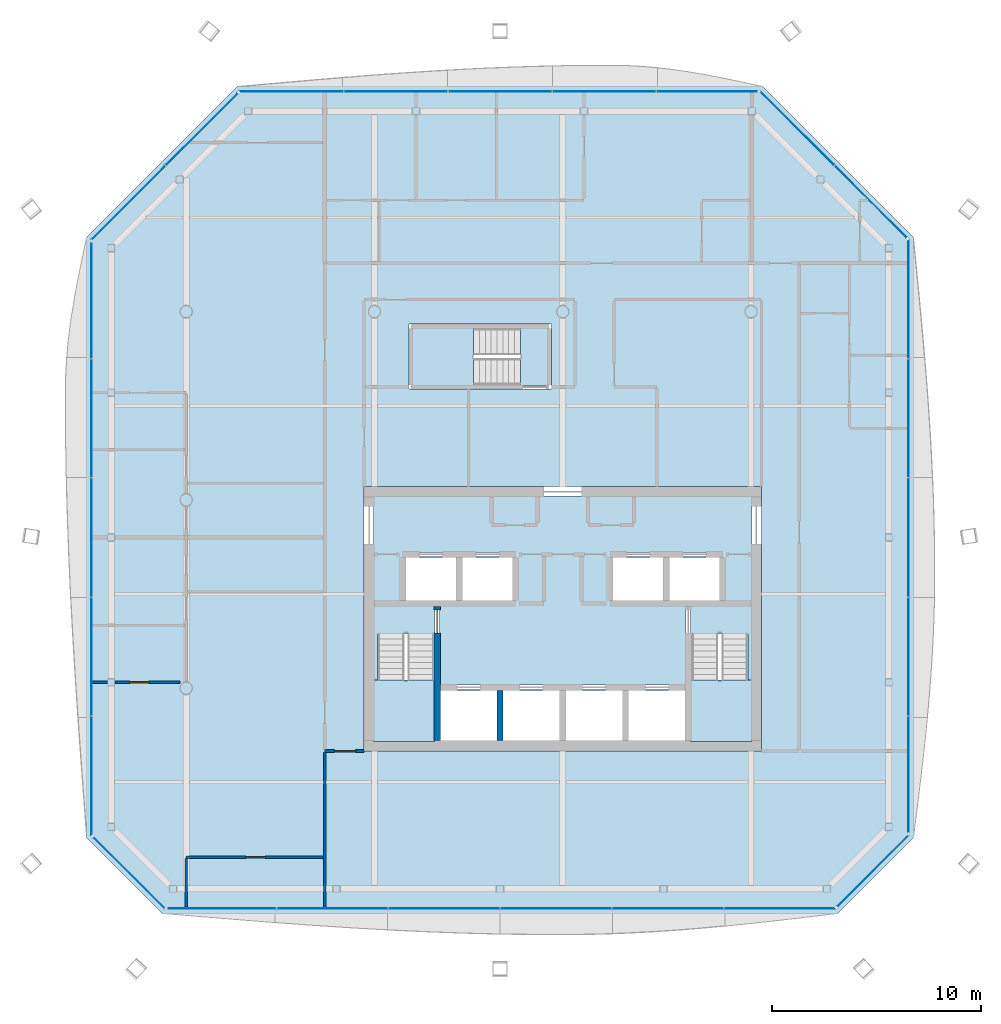
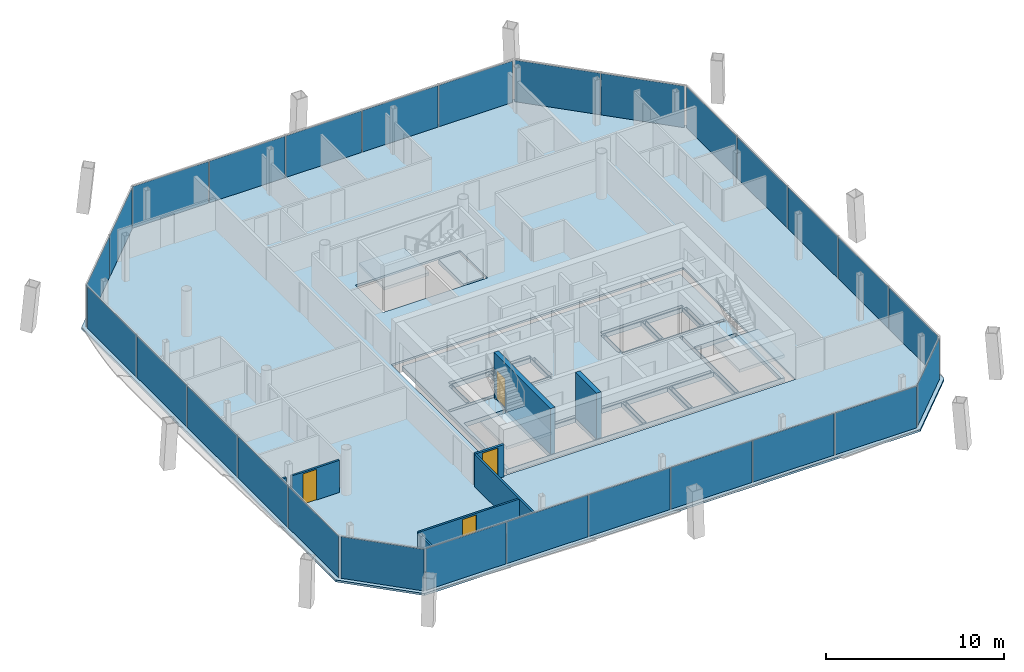
# One storey, part 12 of 19: 27 plates, 8 walls, 6 slabs, 4 doors, 4 openings, 11 elements without a shape of their own.
"""IFC4 building model written with IfcOpenShell, lengths in metres."""

from ifc_helpers import new_model, si_unit, direction, frame, frame_2d, origin, origin_2d, place, context, subcontext, project, spatial, polyline, rectangle, outline, extrude, material, layer, layer_set, type_object, element, fill, aggregate, save


model = new_model("IFC4")

# Units and contexts
model_context = context("Model", 3, precision=1e-05, world=origin(), true_north=direction((0.0, 1.0)))
body_context = subcontext(model_context, "Body", "Model", "MODEL_VIEW")
ifc_project = project(units=[si_unit("LENGTHUNIT", "METRE"), si_unit("AREAUNIT", "SQUARE_METRE"), si_unit("VOLUMEUNIT", "CUBIC_METRE"), si_unit("PLANEANGLEUNIT", "RADIAN"), si_unit("MASSUNIT", "GRAM", prefix="KILO")], contexts=[model_context])

# Site, building, storey
site_placement = place(None, origin())
site = spatial("IfcSite", under=ifc_project, at=site_placement, CompositionType="ELEMENT")
building_placement = place(site_placement, origin())
building = spatial("IfcBuilding", under=site, at=building_placement, Name="Tskaro Facet Tower", CompositionType="ELEMENT")
storey_placement = place(building_placement, frame((0.0, 0.0, 203.699951171875)))
storey = spatial("IfcBuildingStorey", under=building, at=storey_placement, Name="L52", CompositionType="ELEMENT", Elevation=203.699951171875)

# Slab
ifc_material_1 = material(Name="Concrete C30/37", Category="concrete")
ifc_layer_1 = layer(ifc_material_1, 0.139892578125, Name="Concrete C30/37")
ifc_layer_set_1 = layer_set([ifc_layer_1], Name="Concrete C30/37")
slab_type_1 = type_object("IfcSlabType", Name="Composite deck floor slab", PredefinedType="FLOOR", material=ifc_layer_set_1)
slab_1_placement = place(storey_placement, frame((0.0, 0.0, -0.139892578125)))
element("IfcSlab", 1, at=slab_1_placement, inside=storey, type_object=slab_type_1, Name="Floor slab FS3 L52", PredefinedType="FLOOR", context=body_context, shape_type="SweptSolid", body=[
    extrude(outline(polyline([(-19.1298828125, -19.782958984375), (13.1298828125, -19.782958984375), (16.782958984375, -16.1298828125), (16.782958984375, 12.54296875), (9.54296875, 19.782958984375), (-15.54296875, 19.782958984375), (-22.782958984375, 12.54296875), (-22.782958984375, -16.1298828125), (-19.1298828125, -19.782958984375)]), holes=[polyline([(-9.5, -12.0), (9.5, -12.0), (9.5, 0.64990234375), (-9.5, 0.64990234375), (-9.5, -12.0)]), polyline([(-7.35009765625, 5.300048828125), (-0.550048828125, 5.300048828125), (-0.550048828125, 8.39990234375), (-7.35009765625, 8.39990234375), (-7.35009765625, 5.300048828125)])]), origin(), (0.0, 0.0, 1.0), 0.139892578125),
])

# Curtain wall, plates
ifc_material_2 = material(Name="Bronze anodised aluminium 6063-T6", Category="aluminium")
curtain_wall_type = type_object("IfcCurtainWallType", Name="Bronze residence curtain wall (FW3)", PredefinedType="NOTDEFINED", material=ifc_material_2)
curtain_wall_1_placement = place(storey_placement, origin())
curtain_wall_1 = element("IfcCurtainWall", 2, at=curtain_wall_1_placement, inside=storey, type_object=curtain_wall_type, Name="FW3 south facet L52", PredefinedType="NOTDEFINED")
ifc_material_3 = material(Name="Bronze low-iron glass", Category="glass")
ifc_layer_2 = layer(ifc_material_3, 0.028076171875, Name="Bronze low-iron glass")
ifc_layer_set_2 = layer_set([ifc_layer_2], Name="Bronze low-iron glass")
plate_type = type_object("IfcPlateType", Name="FW3 bronze-tinted unit glazing 28", PredefinedType="CURTAIN_PANEL", material=ifc_layer_set_2)
plate_1_placement = place(storey_placement, frame((-16.297607421875, -19.532958984375, 0.0), z_axis=(0.0, 0.0, 1.0), x_axis=(1.0, 0.0, 0.0)))
plate_1 = element("IfcPlate", 3, at=plate_1_placement, type_object=plate_type, Name="FW3 south glazing 1.1", PredefinedType="CURTAIN_PANEL", context=body_context, shape_type="SweptSolid", body=[
    extrude(rectangle(XDim=5.177001953125, YDim=0.028076171875, at=origin_2d()), origin(), (0.0, 0.0, 1.0), 2.860107421875),
])
plate_2_placement = place(storey_placement, frame((-11.012939453125, -19.532958984375, 0.0), z_axis=(0.0, 0.0, 1.0), x_axis=(1.0, 0.0, 0.0)))
plate_2 = element("IfcPlate", 4, at=plate_2_placement, type_object=plate_type, Name="FW3 south glazing 2.1", PredefinedType="CURTAIN_PANEL", context=body_context, shape_type="SweptSolid", body=[
    extrude(rectangle(XDim=5.2919921875, YDim=0.028076171875, at=origin_2d()), origin(), (0.0, 0.0, 1.0), 2.860107421875),
])
plate_3_placement = place(storey_placement, frame((-5.6708984375, -19.532958984375, 0.0), z_axis=(0.0, 0.0, 1.0), x_axis=(1.0, 0.0, 0.0)))
plate_3 = element("IfcPlate", 5, at=plate_3_placement, type_object=plate_type, Name="FW3 south glazing 3.1", PredefinedType="CURTAIN_PANEL", context=body_context, shape_type="SweptSolid", body=[
    extrude(rectangle(XDim=5.2919921875, YDim=0.028076171875, at=origin_2d()), origin(), (0.0, 0.0, 1.0), 2.860107421875),
])
plate_4_placement = place(storey_placement, frame((-0.3291015625, -19.532958984375, 0.0), z_axis=(0.0, 0.0, 1.0), x_axis=(1.0, 0.0, 0.0)))
plate_4 = element("IfcPlate", 6, at=plate_4_placement, type_object=plate_type, Name="FW3 south glazing 4.1", PredefinedType="CURTAIN_PANEL", context=body_context, shape_type="SweptSolid", body=[
    extrude(rectangle(XDim=5.2919921875, YDim=0.028076171875, at=origin_2d()), origin(), (0.0, 0.0, 1.0), 2.860107421875),
])
plate_5_placement = place(storey_placement, frame((5.012939453125, -19.532958984375, 0.0), z_axis=(0.0, 0.0, 1.0), x_axis=(1.0, 0.0, 0.0)))
plate_5 = element("IfcPlate", 7, at=plate_5_placement, type_object=plate_type, Name="FW3 south glazing 5.1", PredefinedType="CURTAIN_PANEL", context=body_context, shape_type="SweptSolid", body=[
    extrude(rectangle(XDim=5.2919921875, YDim=0.028076171875, at=origin_2d()), origin(), (0.0, 0.0, 1.0), 2.860107421875),
])
plate_6_placement = place(storey_placement, frame((10.367431640625, -19.532958984375, 0.0), z_axis=(0.0, 0.0, 1.0), x_axis=(1.0, 0.0, 0.0)))
plate_6 = element("IfcPlate", 8, at=plate_6_placement, type_object=plate_type, Name="FW3 south glazing 6.1", PredefinedType="CURTAIN_PANEL", context=body_context, shape_type="SweptSolid", body=[
    extrude(rectangle(XDim=5.31689453125, YDim=0.028076171875, at=origin_2d()), origin(), (0.0, 0.0, 1.0), 2.860107421875),
])
aggregate(curtain_wall_1, [plate_1, plate_2, plate_3, plate_4, plate_5, plate_6])

# Curtain wall, plate
curtain_wall_2_placement = place(storey_placement, origin())
curtain_wall_2 = element("IfcCurtainWall", 9, at=curtain_wall_2_placement, inside=storey, type_object=curtain_wall_type, Name="FW3 south-east facet L52", PredefinedType="NOTDEFINED")
plate_7_placement = place(storey_placement, frame((14.8291015625, -17.72998046875, 0.0), z_axis=(0.0, 0.0, 1.0), x_axis=(0.707106781187, 0.707106781187, 0.0)))
plate_7 = element("IfcPlate", 10, at=plate_7_placement, type_object=plate_type, Name="FW3 south-east glazing 1.1", PredefinedType="CURTAIN_PANEL", context=body_context, shape_type="SweptSolid", body=[
    extrude(rectangle(XDim=4.819580078125, YDim=0.028076171875, at=origin_2d()), origin(), (0.0, 0.0, 1.0), 2.860107421875),
])
aggregate(curtain_wall_2, [plate_7])

# Curtain wall, plates
curtain_wall_3_placement = place(storey_placement, origin())
curtain_wall_3 = element("IfcCurtainWall", 11, at=curtain_wall_3_placement, inside=storey, type_object=curtain_wall_type, Name="FW3 east facet L52", PredefinedType="NOTDEFINED")
plate_8_placement = place(storey_placement, frame((16.532958984375, -13.1220703125, 0.0), z_axis=(0.0, 0.0, 1.0), x_axis=(0.0, 1.0, 0.0)))
plate_8 = element("IfcPlate", 12, at=plate_8_placement, type_object=plate_type, Name="FW3 east glazing 1.1", PredefinedType="CURTAIN_PANEL", context=body_context, shape_type="SweptSolid", body=[
    extrude(rectangle(XDim=5.528076171875, YDim=0.028076171875, at=origin_2d()), origin(), (0.0, 0.0, 1.0), 2.860107421875),
])
plate_9_placement = place(storey_placement, frame((16.532958984375, -7.486572265625, 0.0), z_axis=(0.0, 0.0, 1.0), x_axis=(0.0, 1.0, 0.0)))
plate_9 = element("IfcPlate", 13, at=plate_9_placement, type_object=plate_type, Name="FW3 east glazing 2.1", PredefinedType="CURTAIN_PANEL", context=body_context, shape_type="SweptSolid", body=[
    extrude(rectangle(XDim=5.64306640625, YDim=0.028076171875, at=origin_2d()), origin(), (0.0, 0.0, 1.0), 2.860107421875),
])
plate_10_placement = place(storey_placement, frame((16.532958984375, -1.79345703125, 0.0), z_axis=(0.0, 0.0, 1.0), x_axis=(0.0, 1.0, 0.0)))
plate_10 = element("IfcPlate", 14, at=plate_10_placement, type_object=plate_type, Name="FW3 east glazing 3.1", PredefinedType="CURTAIN_PANEL", context=body_context, shape_type="SweptSolid", body=[
    extrude(rectangle(XDim=5.64306640625, YDim=0.028076171875, at=origin_2d()), origin(), (0.0, 0.0, 1.0), 2.860107421875),
])
plate_11_placement = place(storey_placement, frame((16.532958984375, 3.8994140625, 0.0), z_axis=(0.0, 0.0, 1.0), x_axis=(0.0, 1.0, 0.0)))
plate_11 = element("IfcPlate", 15, at=plate_11_placement, type_object=plate_type, Name="FW3 east glazing 4.1", PredefinedType="CURTAIN_PANEL", context=body_context, shape_type="SweptSolid", body=[
    extrude(rectangle(XDim=5.64306640625, YDim=0.028076171875, at=origin_2d()), origin(), (0.0, 0.0, 1.0), 2.860107421875),
])
plate_12_placement = place(storey_placement, frame((16.532958984375, 9.60498046875, 0.0), z_axis=(0.0, 0.0, 1.0), x_axis=(0.0, 1.0, 0.0)))
plate_12 = element("IfcPlate", 16, at=plate_12_placement, type_object=plate_type, Name="FW3 east glazing 5.1", PredefinedType="CURTAIN_PANEL", context=body_context, shape_type="SweptSolid", body=[
    extrude(rectangle(XDim=5.66796875, YDim=0.028076171875, at=origin_2d()), origin(), (0.0, 0.0, 1.0), 2.860107421875),
])
aggregate(curtain_wall_3, [plate_8, plate_9, plate_10, plate_11, plate_12])

curtain_wall_4_placement = place(storey_placement, origin())
curtain_wall_4 = element("IfcCurtainWall", 17, at=curtain_wall_4_placement, inside=storey, type_object=curtain_wall_type, Name="FW3 north-east facet L52", PredefinedType="NOTDEFINED")
plate_13_placement = place(storey_placement, frame((14.71875, 14.253173828125, 0.0), z_axis=(0.0, 0.0, 1.0), x_axis=(-0.707106781187, 0.707106781187, 0.0)))
plate_13 = element("IfcPlate", 18, at=plate_13_placement, type_object=plate_type, Name="FW3 north-east glazing 1.1", PredefinedType="CURTAIN_PANEL", context=body_context, shape_type="SweptSolid", body=[
    extrude(rectangle(XDim=4.851318359375, YDim=0.028076171875, at=origin_2d()), origin(), (0.0, 0.0, 1.0), 2.860107421875),
])
plate_14_placement = place(storey_placement, frame((11.20361328125, 17.768310546875, 0.0), z_axis=(0.0, 0.0, 1.0), x_axis=(-0.707106781187, 0.707106781187, 0.0)))
plate_14 = element("IfcPlate", 19, at=plate_14_placement, type_object=plate_type, Name="FW3 north-east glazing 2.1", PredefinedType="CURTAIN_PANEL", context=body_context, shape_type="SweptSolid", body=[
    extrude(rectangle(XDim=4.9912109375, YDim=0.028076171875, at=origin_2d()), origin(), (0.0, 0.0, 1.0), 2.860107421875),
])
aggregate(curtain_wall_4, [plate_13, plate_14])

curtain_wall_5_placement = place(storey_placement, origin())
curtain_wall_5 = element("IfcCurtainWall", 20, at=curtain_wall_5_placement, inside=storey, type_object=curtain_wall_type, Name="FW3 north facet L52", PredefinedType="NOTDEFINED")
plate_15_placement = place(storey_placement, frame((6.893798828125, 19.532958984375, 0.0), z_axis=(0.0, 0.0, 1.0), x_axis=(-1.0, 0.0, 0.0)))
plate_15 = element("IfcPlate", 21, at=plate_15_placement, type_object=plate_type, Name="FW3 north glazing 1.1", PredefinedType="CURTAIN_PANEL", context=body_context, shape_type="SweptSolid", body=[
    extrude(rectangle(XDim=4.810546875, YDim=0.028076171875, at=origin_2d()), origin(), (0.0, 0.0, 1.0), 2.860107421875),
])
plate_16_placement = place(storey_placement, frame((1.9755859375, 19.532958984375, 0.0), z_axis=(0.0, 0.0, 1.0), x_axis=(-1.0, 0.0, 0.0)))
plate_16 = element("IfcPlate", 22, at=plate_16_placement, type_object=plate_type, Name="FW3 north glazing 2.1", PredefinedType="CURTAIN_PANEL", context=body_context, shape_type="SweptSolid", body=[
    extrude(rectangle(XDim=4.925537109375, YDim=0.028076171875, at=origin_2d()), origin(), (0.0, 0.0, 1.0), 2.860107421875),
])
plate_17_placement = place(storey_placement, frame((-3.0, 19.532958984375, 0.0), z_axis=(0.0, 0.0, 1.0), x_axis=(-1.0, 0.0, 0.0)))
plate_17 = element("IfcPlate", 23, at=plate_17_placement, type_object=plate_type, Name="FW3 north glazing 3.1", PredefinedType="CURTAIN_PANEL", context=body_context, shape_type="SweptSolid", body=[
    extrude(rectangle(XDim=4.925537109375, YDim=0.028076171875, at=origin_2d()), origin(), (0.0, 0.0, 1.0), 2.860107421875),
])
plate_18_placement = place(storey_placement, frame((-7.9755859375, 19.532958984375, 0.0), z_axis=(0.0, 0.0, 1.0), x_axis=(-1.0, 0.0, 0.0)))
plate_18 = element("IfcPlate", 24, at=plate_18_placement, type_object=plate_type, Name="FW3 north glazing 4.1", PredefinedType="CURTAIN_PANEL", context=body_context, shape_type="SweptSolid", body=[
    extrude(rectangle(XDim=4.925537109375, YDim=0.028076171875, at=origin_2d()), origin(), (0.0, 0.0, 1.0), 2.860107421875),
])
plate_19_placement = place(storey_placement, frame((-12.963623046875, 19.532958984375, 0.0), z_axis=(0.0, 0.0, 1.0), x_axis=(-1.0, 0.0, 0.0)))
plate_19 = element("IfcPlate", 25, at=plate_19_placement, type_object=plate_type, Name="FW3 north glazing 5.1", PredefinedType="CURTAIN_PANEL", context=body_context, shape_type="SweptSolid", body=[
    extrude(rectangle(XDim=4.95068359375, YDim=0.028076171875, at=origin_2d()), origin(), (0.0, 0.0, 1.0), 2.860107421875),
])
aggregate(curtain_wall_5, [plate_15, plate_16, plate_17, plate_18, plate_19])

curtain_wall_6_placement = place(storey_placement, origin())
curtain_wall_6 = element("IfcCurtainWall", 26, at=curtain_wall_6_placement, inside=storey, type_object=curtain_wall_type, Name="FW3 north-west facet L52", PredefinedType="NOTDEFINED")
plate_20_placement = place(storey_placement, frame((-17.253173828125, 17.71875, 0.0), z_axis=(0.0, 0.0, 1.0), x_axis=(-0.707106781187, -0.707106781187, 0.0)))
plate_20 = element("IfcPlate", 27, at=plate_20_placement, type_object=plate_type, Name="FW3 north-west glazing 1.1", PredefinedType="CURTAIN_PANEL", context=body_context, shape_type="SweptSolid", body=[
    extrude(rectangle(XDim=4.851318359375, YDim=0.028076171875, at=origin_2d()), origin(), (0.0, 0.0, 1.0), 2.860107421875),
])
plate_21_placement = place(storey_placement, frame((-20.768310546875, 14.20361328125, 0.0), z_axis=(0.0, 0.0, 1.0), x_axis=(-0.707106781187, -0.707106781187, 0.0)))
plate_21 = element("IfcPlate", 28, at=plate_21_placement, type_object=plate_type, Name="FW3 north-west glazing 2.1", PredefinedType="CURTAIN_PANEL", context=body_context, shape_type="SweptSolid", body=[
    extrude(rectangle(XDim=4.9912109375, YDim=0.028076171875, at=origin_2d()), origin(), (0.0, 0.0, 1.0), 2.860107421875),
])
aggregate(curtain_wall_6, [plate_20, plate_21])

curtain_wall_7_placement = place(storey_placement, origin())
curtain_wall_7 = element("IfcCurtainWall", 29, at=curtain_wall_7_placement, inside=storey, type_object=curtain_wall_type, Name="FW3 west facet L52", PredefinedType="NOTDEFINED")
plate_22_placement = place(storey_placement, frame((-22.532958984375, 9.534912109375, 0.0), z_axis=(0.0, 0.0, 1.0), x_axis=(0.0, -1.0, 0.0)))
plate_22 = element("IfcPlate", 30, at=plate_22_placement, type_object=plate_type, Name="FW3 west glazing 1.1", PredefinedType="CURTAIN_PANEL", context=body_context, shape_type="SweptSolid", body=[
    extrude(rectangle(XDim=5.528076171875, YDim=0.028076171875, at=origin_2d()), origin(), (0.0, 0.0, 1.0), 2.860107421875),
])
plate_23_placement = place(storey_placement, frame((-22.532958984375, 3.8994140625, 0.0), z_axis=(0.0, 0.0, 1.0), x_axis=(0.0, -1.0, 0.0)))
plate_23 = element("IfcPlate", 31, at=plate_23_placement, type_object=plate_type, Name="FW3 west glazing 2.1", PredefinedType="CURTAIN_PANEL", context=body_context, shape_type="SweptSolid", body=[
    extrude(rectangle(XDim=5.64306640625, YDim=0.028076171875, at=origin_2d()), origin(), (0.0, 0.0, 1.0), 2.860107421875),
])
plate_24_placement = place(storey_placement, frame((-22.532958984375, -1.79345703125, 0.0), z_axis=(0.0, 0.0, 1.0), x_axis=(0.0, -1.0, 0.0)))
plate_24 = element("IfcPlate", 32, at=plate_24_placement, type_object=plate_type, Name="FW3 west glazing 3.1", PredefinedType="CURTAIN_PANEL", context=body_context, shape_type="SweptSolid", body=[
    extrude(rectangle(XDim=5.64306640625, YDim=0.028076171875, at=origin_2d()), origin(), (0.0, 0.0, 1.0), 2.860107421875),
])
plate_25_placement = place(storey_placement, frame((-22.532958984375, -7.486572265625, 0.0), z_axis=(0.0, 0.0, 1.0), x_axis=(0.0, -1.0, 0.0)))
plate_25 = element("IfcPlate", 33, at=plate_25_placement, type_object=plate_type, Name="FW3 west glazing 4.1", PredefinedType="CURTAIN_PANEL", context=body_context, shape_type="SweptSolid", body=[
    extrude(rectangle(XDim=5.64306640625, YDim=0.028076171875, at=origin_2d()), origin(), (0.0, 0.0, 1.0), 2.860107421875),
])
plate_26_placement = place(storey_placement, frame((-22.532958984375, -13.19189453125, 0.0), z_axis=(0.0, 0.0, 1.0), x_axis=(0.0, -1.0, 0.0)))
plate_26 = element("IfcPlate", 34, at=plate_26_placement, type_object=plate_type, Name="FW3 west glazing 5.1", PredefinedType="CURTAIN_PANEL", context=body_context, shape_type="SweptSolid", body=[
    extrude(rectangle(XDim=5.66796875, YDim=0.028076171875, at=origin_2d()), origin(), (0.0, 0.0, 1.0), 2.860107421875),
])
aggregate(curtain_wall_7, [plate_22, plate_23, plate_24, plate_25, plate_26])

# Curtain wall, plate
curtain_wall_8_placement = place(storey_placement, origin())
curtain_wall_8 = element("IfcCurtainWall", 35, at=curtain_wall_8_placement, inside=storey, type_object=curtain_wall_type, Name="FW3 south-west facet L52", PredefinedType="NOTDEFINED")
plate_27_placement = place(storey_placement, frame((-20.72998046875, -17.8291015625, 0.0), z_axis=(0.0, 0.0, 1.0), x_axis=(0.707106781187, -0.707106781187, 0.0)))
plate_27 = element("IfcPlate", 36, at=plate_27_placement, type_object=plate_type, Name="FW3 south-west glazing 1.1", PredefinedType="CURTAIN_PANEL", context=body_context, shape_type="SweptSolid", body=[
    extrude(rectangle(XDim=4.819580078125, YDim=0.028076171875, at=origin_2d()), origin(), (0.0, 0.0, 1.0), 2.860107421875),
])
aggregate(curtain_wall_8, [plate_27])

# Stair, slab
ifc_material_4 = material(Name="Concrete C40/50", Category="concrete")
stair_type = type_object("IfcStairType", Name="ST-TWR", PredefinedType="HALF_TURN_STAIR", material=ifc_material_4)
stair_1_placement = place(storey_placement, origin())
stair_1 = element("IfcStair", 37, at=stair_1_placement, inside=storey, type_object=stair_type, Name="L52 Exit stair 1", PredefinedType="HALF_TURN_STAIR")
ifc_layer_3 = layer(ifc_material_4, 0.199951171875, Name="Concrete C40/50")
ifc_layer_set_3 = layer_set([ifc_layer_3], Name="Concrete C40/50")
slab_type_2 = type_object("IfcSlabType", Name="SL-LANDING", PredefinedType="LANDING", material=ifc_layer_set_3)
slab_2_placement = place(storey_placement, frame((0.0, 0.0, 1.375)))
slab_2 = element("IfcSlab", 38, at=slab_2_placement, type_object=slab_type_2, Name="ST-1 landing 1", PredefinedType="LANDING", context=body_context, shape_type="SweptSolid", body=[
    extrude(outline(polyline([(-9.050048828125, -11.550048828125), (-6.10009765625, -11.550048828125), (-6.10009765625, -8.614990234375), (-9.050048828125, -8.614990234375), (-9.050048828125, -11.550048828125)])), origin(), (0.0, 0.0, 1.0), 0.199951171875),
])
aggregate(stair_1, [slab_2])

stair_2_placement = place(storey_placement, origin())
stair_2 = element("IfcStair", 39, at=stair_2_placement, inside=storey, type_object=stair_type, Name="L52 Exit stair 2", PredefinedType="HALF_TURN_STAIR")
slab_3_placement = place(storey_placement, frame((0.0, 0.0, 1.375)))
slab_3 = element("IfcSlab", 40, at=slab_3_placement, type_object=slab_type_2, Name="ST-2 landing 1", PredefinedType="LANDING", context=body_context, shape_type="SweptSolid", body=[
    extrude(outline(polyline([(6.10009765625, -11.550048828125), (9.050048828125, -11.550048828125), (9.050048828125, -8.614990234375), (6.10009765625, -8.614990234375), (6.10009765625, -11.550048828125)])), origin(), (0.0, 0.0, 1.0), 0.199951171875),
])
aggregate(stair_2, [slab_3])

stair_3_placement = place(storey_placement, origin())
stair_3 = element("IfcStair", 41, at=stair_3_placement, inside=storey, type_object=stair_type, Name="L52 Exit stair 3", PredefinedType="HALF_TURN_STAIR")
slab_4_placement = place(storey_placement, frame((0.0, 0.0, 1.375)))
slab_4 = element("IfcSlab", 42, at=slab_4_placement, type_object=slab_type_2, Name="ST-3 landing 1", PredefinedType="LANDING", context=body_context, shape_type="SweptSolid", body=[
    extrude(outline(polyline([(-7.199951171875, 5.449951171875), (-4.264892578125, 5.449951171875), (-4.264892578125, 8.25), (-7.199951171875, 8.25), (-7.199951171875, 5.449951171875)])), origin(), (0.0, 0.0, 1.0), 0.199951171875),
])
aggregate(stair_3, [slab_4])

# Slabs
ifc_material_5 = material(Name="Concrete C60/75", Category="concrete")
ifc_layer_4 = layer(ifc_material_5, 0.300048828125, Name="Concrete C60/75")
ifc_layer_set_4 = layer_set([ifc_layer_4], Name="Concrete C60/75")
slab_type_3 = type_object("IfcSlabType", Name="SLAB-CORE", PredefinedType="FLOOR", material=ifc_layer_set_4)
slab_5_placement = place(storey_placement, frame((0.0, 0.0, -0.300048828125)))
element("IfcSlab", 43, at=slab_5_placement, inside=storey, type_object=slab_type_3, Name="Core floor slab 1", PredefinedType="FLOOR", context=body_context, shape_type="SweptSolid", body=[
    extrude(outline(polyline([(-9.050048828125, 0.199951171875), (9.050048828125, 0.199951171875), (9.050048828125, 0.10009765625), (9.050048828125, -11.449951171875), (9.050048828125, -11.550048828125), (-9.050048828125, -11.550048828125), (-9.050048828125, -11.449951171875), (-9.050048828125, 0.10009765625), (-9.050048828125, 0.199951171875)]), holes=[polyline([(-5.85009765625, -9.10009765625), (-5.85009765625, -11.5), (-3.14990234375, -11.5), (-3.14990234375, -9.10009765625), (-5.85009765625, -9.10009765625)]), polyline([(-3.10009765625, -11.449951171875), (-2.89990234375, -11.449951171875), (-2.89990234375, -9.14990234375), (-3.10009765625, -9.14990234375), (-3.10009765625, -11.449951171875)]), polyline([(-2.85009765625, -9.10009765625), (-2.85009765625, -11.5), (-0.14990234375, -11.5), (-0.14990234375, -9.10009765625), (-2.85009765625, -9.10009765625)]), polyline([(-6.10009765625, -11.449951171875), (-5.89990234375, -11.449951171875), (-5.89990234375, -5.14990234375), (-6.10009765625, -5.14990234375), (-6.10009765625, -11.449951171875)]), polyline([(-8.949951171875, -5.050048828125), (-2.300048828125, -5.050048828125), (-2.300048828125, -4.85009765625), (-8.949951171875, -4.85009765625), (-8.949951171875, -5.050048828125)]), polyline([(-7.75, -4.75), (-7.550048828125, -4.75), (-7.550048828125, -2.800048828125), (-7.75, -2.800048828125), (-7.75, -4.75)]), polyline([(-7.5, -2.75), (-7.5, -4.800048828125), (-5.10009765625, -4.800048828125), (-5.10009765625, -2.75), (-7.5, -2.75)]), polyline([(-5.050048828125, -4.75), (-4.85009765625, -4.75), (-4.85009765625, -2.800048828125), (-5.050048828125, -2.800048828125), (-5.050048828125, -4.75)]), polyline([(-4.800048828125, -4.800048828125), (-2.39990234375, -4.800048828125), (-2.39990234375, -2.75), (-4.800048828125, -2.75), (-4.800048828125, -4.800048828125)]), polyline([(-2.35009765625, -4.75), (-2.14990234375, -4.75), (-2.14990234375, -2.800048828125), (-2.35009765625, -2.800048828125), (-2.35009765625, -4.75)]), polyline([(-7.60009765625, -2.699951171875), (-2.300048828125, -2.699951171875), (-2.300048828125, -2.5), (-7.60009765625, -2.5), (-7.60009765625, -2.699951171875)]), polyline([(-0.10009765625, -11.449951171875), (0.10009765625, -11.449951171875), (0.10009765625, -9.14990234375), (-0.10009765625, -9.14990234375), (-0.10009765625, -11.449951171875)]), polyline([(0.14990234375, -9.10009765625), (0.14990234375, -11.5), (2.85009765625, -11.5), (2.85009765625, -9.10009765625), (0.14990234375, -9.10009765625)]), polyline([(2.89990234375, -11.449951171875), (3.10009765625, -11.449951171875), (3.10009765625, -9.14990234375), (2.89990234375, -9.14990234375), (2.89990234375, -11.449951171875)]), polyline([(3.14990234375, -9.10009765625), (3.14990234375, -11.5), (5.85009765625, -11.5), (5.85009765625, -9.10009765625), (3.14990234375, -9.10009765625)]), polyline([(-5.800048828125, -9.050048828125), (5.800048828125, -9.050048828125), (5.800048828125, -8.85009765625), (-5.800048828125, -8.85009765625), (-5.800048828125, -9.050048828125)]), polyline([(5.89990234375, -11.449951171875), (6.10009765625, -11.449951171875), (6.10009765625, -5.14990234375), (5.89990234375, -5.14990234375), (5.89990234375, -11.449951171875)]), polyline([(2.300048828125, -5.050048828125), (8.949951171875, -5.050048828125), (8.949951171875, -4.85009765625), (2.300048828125, -4.85009765625), (2.300048828125, -5.050048828125)]), polyline([(2.14990234375, -4.75), (2.35009765625, -4.75), (2.35009765625, -2.800048828125), (2.14990234375, -2.800048828125), (2.14990234375, -4.75)]), polyline([(4.800048828125, -2.75), (2.39990234375, -2.75), (2.39990234375, -4.800048828125), (4.800048828125, -4.800048828125), (4.800048828125, -2.75)]), polyline([(4.85009765625, -4.75), (5.050048828125, -4.75), (5.050048828125, -2.800048828125), (4.85009765625, -2.800048828125), (4.85009765625, -4.75)]), polyline([(5.10009765625, -4.800048828125), (7.5, -4.800048828125), (7.5, -2.75), (5.10009765625, -2.75), (5.10009765625, -4.800048828125)]), polyline([(7.550048828125, -4.75), (7.75, -4.75), (7.75, -2.800048828125), (7.550048828125, -2.800048828125), (7.550048828125, -4.75)]), polyline([(2.300048828125, -2.699951171875), (7.60009765625, -2.699951171875), (7.60009765625, -2.5), (2.300048828125, -2.5), (2.300048828125, -2.699951171875)]), polyline([(-8.85009765625, -11.5), (-6.14990234375, -11.5), (-6.14990234375, -6.39501953125), (-8.85009765625, -6.39501953125), (-8.85009765625, -11.5)]), polyline([(6.14990234375, -6.39501953125), (6.14990234375, -11.5), (8.85009765625, -11.5), (8.85009765625, -6.39501953125), (6.14990234375, -6.39501953125)])]), origin(), (0.0, 0.0, 1.0), 0.300048828125),
])
slab_6_placement = place(storey_placement, frame((0.0, 0.0, -0.300048828125)))
element("IfcSlab", 44, at=slab_6_placement, inside=storey, type_object=slab_type_3, Name="Stair 3 floor landing 1", PredefinedType="FLOOR", context=body_context, shape_type="SweptSolid", body=[
    extrude(outline(polyline([(-2.02490234375, 5.449951171875), (-0.699951171875, 5.449951171875), (-0.699951171875, 8.25), (-2.02490234375, 8.25), (-2.02490234375, 5.449951171875)])), origin(), (0.0, 0.0, 1.0), 0.300048828125),
])

# Wall, opening, door
ifc_layer_5 = layer(ifc_material_5, 0.300048828125, Name="Concrete C60/75")
ifc_layer_set_5 = layer_set([ifc_layer_5], Name="Concrete C60/75")
wall_type_1 = type_object("IfcWallType", Name="CORE-SHAFT", PredefinedType="SHEAR", material=ifc_layer_set_5)
wall_1_placement = place(storey_placement, frame((-6.0, -11.5, 0.0), z_axis=(0.0, 0.0, 1.0), x_axis=(0.0, 1.0, 0.0)))
wall_1 = element("IfcWall", 45, at=wall_1_placement, inside=storey, type_object=wall_type_1, Name="Shaft wall W055", PredefinedType="SHEAR", context=body_context, shape_type="SweptSolid", body=[
    extrude(rectangle(XDim=6.39990234375, YDim=0.300048828125, at=frame_2d((3.199951171875, 0.0))), origin(), (0.0, 0.0, 1.0), 3.150146484375),
])
opening_1_placement = place(wall_1_placement, frame((5.14990234375, 0.0, 0.0)))
opening_1 = element("IfcOpeningElement", 46, at=opening_1_placement, cuts=wall_1, Name="Opening ST-1-D1", PredefinedType="OPENING", context=body_context, shape_type="SweptSolid", body=[
    extrude(rectangle(XDim=1.10009765625, YDim=2.10009765625, at=frame_2d((0.550048828125, 1.050048828125))), frame((0.0, 0.159912109375, 0.0), z_axis=(0.0, -1.0, 0.0), x_axis=(1.0, 0.0, 0.0)), (0.0, 0.0, 1.0), 0.320068359375),
])
ifc_material_6 = material(Name="Steel", Category="steel")
door_type_1 = type_object("IfcDoorType", Name="D-STAIR", OperationType="NOTDEFINED", PredefinedType="DOOR", material=ifc_material_6)
door_1_placement = place(opening_1_placement, origin())
door_1 = element("IfcDoor", 47, at=door_1_placement, inside=storey, type_object=door_type_1, Name="Stair door 1", OperationType="SINGLE_SWING_LEFT", OverallHeight=2.10009765625, OverallWidth=1.10009765625, PredefinedType="DOOR", context=body_context, shape_type="SweptSolid", body=[
    extrude(rectangle(XDim=1.10009765625, YDim=2.10009765625, at=frame_2d((0.550048828125, 1.050048828125))), frame((0.0, 0.02490234375, 0.0), z_axis=(0.0, -1.0, 0.0), x_axis=(1.0, 0.0, 0.0)), (0.0, 0.0, 1.0), 0.050048828125),
])
fill(opening_1, door_1)

# Wall
wall_2_placement = place(storey_placement, frame((-3.0, -11.5, 0.0), z_axis=(0.0, 0.0, 1.0), x_axis=(0.0, 1.0, 0.0)))
element("IfcWall", 48, at=wall_2_placement, inside=storey, type_object=wall_type_1, Name="Shaft wall W060", PredefinedType="SHEAR", context=body_context, shape_type="SweptSolid", body=[
    extrude(rectangle(XDim=2.39990234375, YDim=0.300048828125, at=frame_2d((1.199951171875, 0.0))), origin(), (0.0, 0.0, 1.0), 3.150146484375),
])

# Wall, opening, door
ifc_material_7 = material(Name="Gypsum board on steel studs", Category="steel")
ifc_layer_6 = layer(ifc_material_7, 0.125, Name="Gypsum board on steel studs")
ifc_layer_set_6 = layer_set([ifc_layer_6], Name="Gypsum board on steel studs")
wall_type_2 = type_object("IfcWallType", Name="PART", PredefinedType="PARTITIONING", material=ifc_layer_set_6)
wall_3_placement = place(storey_placement, frame((-11.4375, -17.0849609375, 0.0), z_axis=(0.0, 0.0, 1.0), x_axis=(-1.0, 0.0, 0.0)))
wall_3 = element("IfcWall", 49, at=wall_3_placement, inside=storey, type_object=wall_type_2, Name="Partition W001", PredefinedType="PARTITIONING", context=body_context, shape_type="SweptSolid", body=[
    extrude(rectangle(XDim=6.5625, YDim=0.125, at=frame_2d((3.28125, 0.0))), origin(), (0.0, 0.0, 1.0), 2.2099609375),
])
opening_2_placement = place(wall_3_placement, frame((2.800048828125, 0.0, 0.0)))
opening_2 = element("IfcOpeningElement", 50, at=opening_2_placement, cuts=wall_3, Name="Opening T15-D01", PredefinedType="OPENING", context=body_context, shape_type="SweptSolid", body=[
    extrude(rectangle(XDim=0.89990234375, YDim=2.10009765625, at=frame_2d((0.449951171875, 1.050048828125))), frame((0.0, 0.072509765625, 0.0), z_axis=(0.0, -1.0, 0.0), x_axis=(1.0, 0.0, 0.0)), (0.0, 0.0, 1.0), 0.14501953125),
])
ifc_material_8 = material(Name="Timber", Category="wood")
door_type_2 = type_object("IfcDoorType", Name="D-ROOM", OperationType="NOTDEFINED", PredefinedType="DOOR", material=ifc_material_8)
door_2_placement = place(opening_2_placement, origin())
door_2 = element("IfcDoor", 51, at=door_2_placement, inside=storey, type_object=door_type_2, Name="Door T15-D01", OperationType="SINGLE_SWING_RIGHT", OverallHeight=2.10009765625, OverallWidth=0.89990234375, PredefinedType="DOOR", context=body_context, shape_type="SweptSolid", body=[
    extrude(rectangle(XDim=0.89990234375, YDim=2.10009765625, at=frame_2d((0.449951171875, 1.050048828125))), frame((0.0, 0.02490234375, 0.0), z_axis=(0.0, -1.0, 0.0), x_axis=(1.0, 0.0, 0.0)), (0.0, 0.0, 1.0), 0.050048828125),
])
fill(opening_2, door_2)

# Wall
wall_4_placement = place(storey_placement, frame((-22.48291015625, -8.715087890625, 0.0), z_axis=(0.0, 0.0, 1.0), x_axis=(1.0, 0.0, 0.0)))
element("IfcWall", 52, at=wall_4_placement, inside=storey, type_object=wall_type_2, Name="Partition W006", PredefinedType="PARTITIONING", context=body_context, shape_type="SweptSolid", body=[
    extrude(rectangle(XDim=0.724853515625, YDim=0.125, at=frame_2d((0.3623046875, 0.0))), origin(), (0.0, 0.0, 1.0), 2.2099609375),
])

# Wall, opening, door
wall_5_placement = place(storey_placement, frame((-21.407958984375, -8.715087890625, 0.0), z_axis=(0.0, 0.0, 1.0), x_axis=(1.0, 0.0, 0.0)))
wall_5 = element("IfcWall", 53, at=wall_5_placement, inside=storey, type_object=wall_type_2, Name="Partition W007", PredefinedType="PARTITIONING", context=body_context, shape_type="SweptSolid", body=[
    extrude(rectangle(XDim=3.10302734375, YDim=0.125, at=frame_2d((1.551513671875, 0.0))), origin(), (0.0, 0.0, 1.0), 2.2099609375),
])
opening_3_placement = place(wall_5_placement, frame((0.716552734375, 0.0, 0.0)))
opening_3 = element("IfcOpeningElement", 54, at=opening_3_placement, cuts=wall_5, Name="Opening T15-D04", PredefinedType="OPENING", context=body_context, shape_type="SweptSolid", body=[
    extrude(rectangle(XDim=0.89990234375, YDim=2.10009765625, at=frame_2d((0.449951171875, 1.050048828125))), frame((0.0, 0.072509765625, 0.0), z_axis=(0.0, -1.0, 0.0), x_axis=(1.0, 0.0, 0.0)), (0.0, 0.0, 1.0), 0.14501953125),
])
door_3_placement = place(opening_3_placement, origin())
door_3 = element("IfcDoor", 55, at=door_3_placement, inside=storey, type_object=door_type_2, Name="Door T15-D04", OperationType="SINGLE_SWING_LEFT", OverallHeight=2.10009765625, OverallWidth=0.89990234375, PredefinedType="DOOR", context=body_context, shape_type="SweptSolid", body=[
    extrude(rectangle(XDim=0.89990234375, YDim=2.10009765625, at=frame_2d((0.449951171875, 1.050048828125))), frame((0.0, 0.02490234375, 0.0), z_axis=(0.0, -1.0, 0.0), x_axis=(1.0, 0.0, 0.0)), (0.0, 0.0, 1.0), 0.050048828125),
])
fill(opening_3, door_3)

# Walls
wall_6_placement = place(storey_placement, frame((-18.0, -19.48291015625, 0.0), z_axis=(0.0, 0.0, 1.0), x_axis=(0.0, 1.0, 0.0)))
element("IfcWall", 56, at=wall_6_placement, inside=storey, type_object=wall_type_2, Name="Partition W043", PredefinedType="PARTITIONING", context=body_context, shape_type="SweptSolid", body=[
    extrude(rectangle(XDim=2.33544921875, YDim=0.125, at=frame_2d((1.167724609375, 0.0))), origin(), (0.0, 0.0, 1.0), 2.2099609375),
])
wall_7_placement = place(storey_placement, frame((-11.375, -19.48291015625, 0.0), z_axis=(0.0, 0.0, 1.0), x_axis=(0.0, 1.0, 0.0)))
element("IfcWall", 57, at=wall_7_placement, inside=storey, type_object=wall_type_2, Name="Partition W046", PredefinedType="PARTITIONING", context=body_context, shape_type="SweptSolid", body=[
    extrude(rectangle(XDim=7.407958984375, YDim=0.125, at=frame_2d((3.7041015625, 0.0))), origin(), (0.0, 0.0, 1.0), 2.2099609375),
])

# Wall, opening, door
ifc_layer_7 = layer(ifc_material_7, 0.14990234375, Name="Gypsum board on steel studs")
ifc_layer_set_7 = layer_set([ifc_layer_7], Name="Gypsum board on steel studs")
wall_type_3 = type_object("IfcWallType", Name="PART-CORR", PredefinedType="PARTITIONING", material=ifc_layer_set_7)
wall_8_placement = place(storey_placement, frame((-9.5, -12.0, 0.0), z_axis=(0.0, 0.0, 1.0), x_axis=(-1.0, 0.0, 0.0)))
wall_8 = element("IfcWall", 58, at=wall_8_placement, inside=storey, type_object=wall_type_3, Name="Corridor wall W002", PredefinedType="PARTITIONING", context=body_context, shape_type="SweptSolid", body=[
    extrude(rectangle(XDim=1.875, YDim=0.14990234375, at=frame_2d((0.9375, 0.0))), origin(), (0.0, 0.0, 1.0), 2.2099609375),
])
opening_4_placement = place(wall_8_placement, frame((0.39990234375, 0.0, 0.0)))
opening_4 = element("IfcOpeningElement", 59, at=opening_4_placement, cuts=wall_8, Name="Opening T15-D02", PredefinedType="OPENING", context=body_context, shape_type="SweptSolid", body=[
    extrude(rectangle(XDim=1.0, YDim=2.10009765625, at=frame_2d((0.5, 1.050048828125))), frame((0.0, 0.0849609375, 0.0), z_axis=(0.0, -1.0, 0.0), x_axis=(1.0, 0.0, 0.0)), (0.0, 0.0, 1.0), 0.169921875),
])
door_type_3 = type_object("IfcDoorType", Name="D-ROOM-WIDE", OperationType="NOTDEFINED", PredefinedType="DOOR", material=ifc_material_8)
door_4_placement = place(opening_4_placement, origin())
door_4 = element("IfcDoor", 60, at=door_4_placement, inside=storey, type_object=door_type_3, Name="Door T15-D02", OperationType="SINGLE_SWING_RIGHT", OverallHeight=2.10009765625, OverallWidth=1.0, PredefinedType="DOOR", context=body_context, shape_type="SweptSolid", body=[
    extrude(rectangle(XDim=1.0, YDim=2.10009765625, at=frame_2d((0.5, 1.050048828125))), frame((0.0, 0.02490234375, 0.0), z_axis=(0.0, -1.0, 0.0), x_axis=(1.0, 0.0, 0.0)), (0.0, 0.0, 1.0), 0.050048828125),
])
fill(opening_4, door_4)

save(model, "model.ifc")
